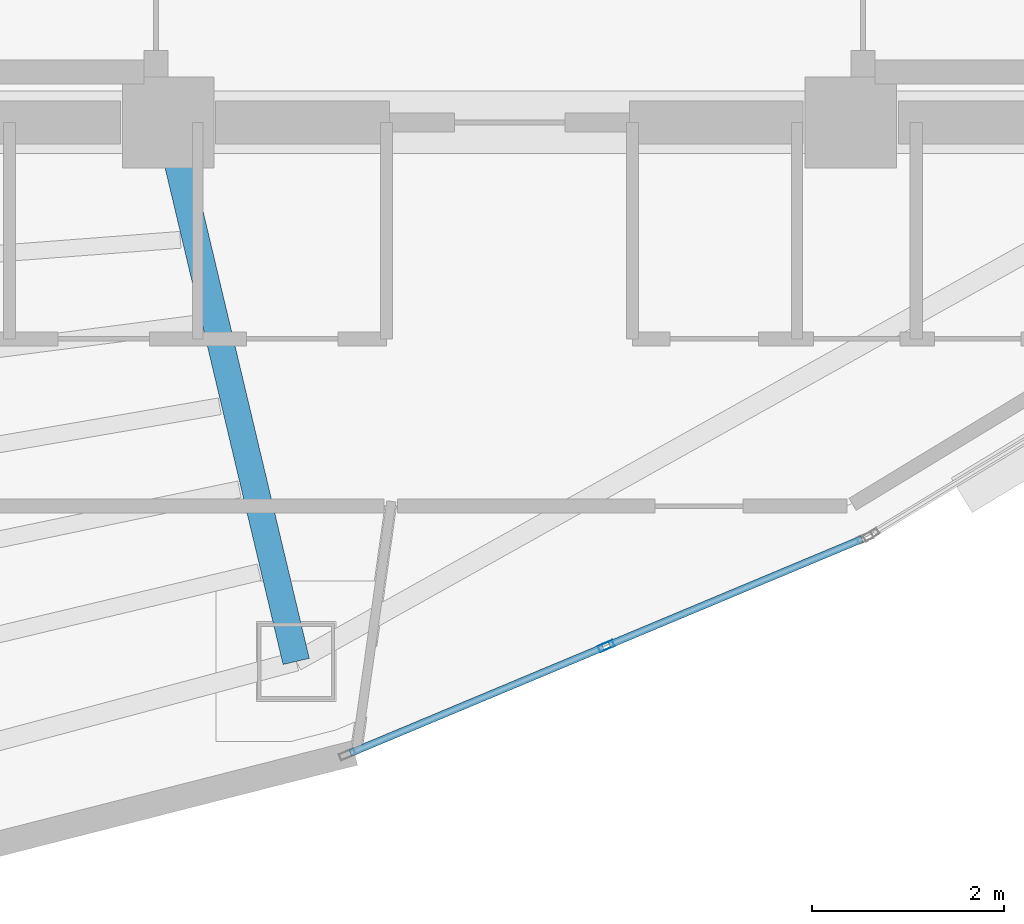
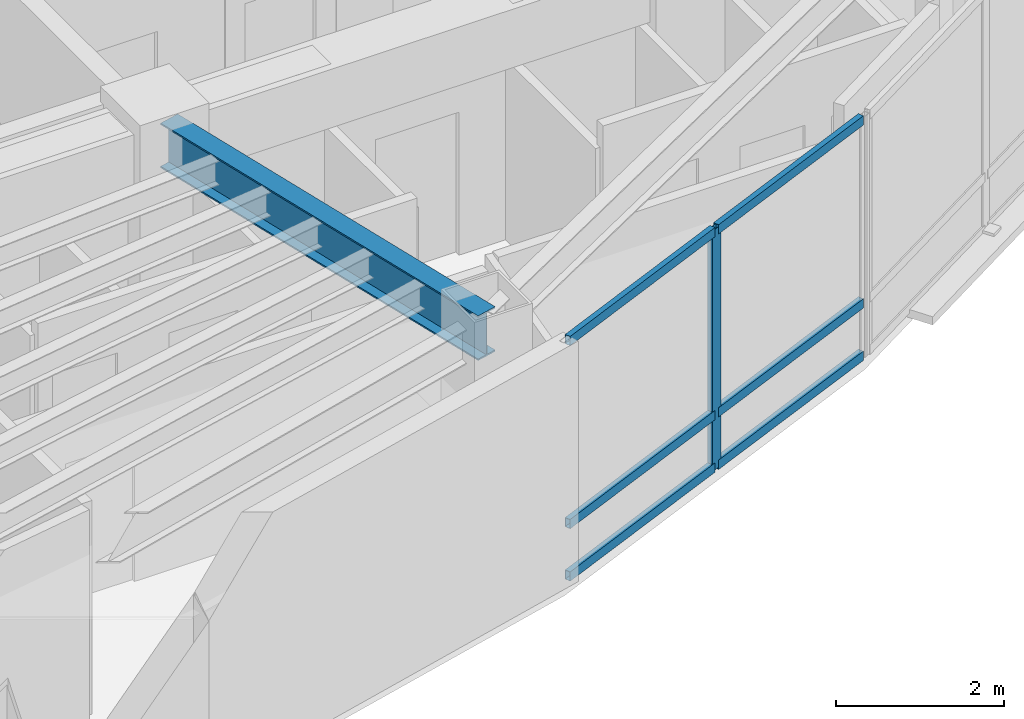
# One storey, part 3 of 15: 7 members, 1 beam, 1 element without a shape of its own.
"""IFC4 building model written with IfcOpenShell, lengths in metres."""

from ifc_helpers import new_model, si_unit, direction, frame, origin, origin_2d, place, context, subcontext, project, spatial, hollow_rectangle, i_section, extrude, material, layer, layer_set, material_profile, profile_set, type_object, element, aggregate, save


model = new_model("IFC4")

# Units and contexts
model_context = context("Model", 3, precision=1e-05, world=origin(), true_north=direction((0.0, 1.0)))
body_context = subcontext(model_context, "Body", "Model", "MODEL_VIEW")
ifc_project = project(units=[si_unit("LENGTHUNIT", "METRE"), si_unit("AREAUNIT", "SQUARE_METRE"), si_unit("VOLUMEUNIT", "CUBIC_METRE"), si_unit("PLANEANGLEUNIT", "RADIAN"), si_unit("MASSUNIT", "GRAM", prefix="KILO")], contexts=[model_context])

# Site, building, storey
site_placement = place(None, origin())
site = spatial("IfcSite", under=ifc_project, at=site_placement, CompositionType="ELEMENT")
building_placement = place(site_placement, origin())
building = spatial("IfcBuilding", under=site, at=building_placement, Name="Menara Vayukalpa", CompositionType="ELEMENT")
storey_placement = place(building_placement, frame((0.0, 0.0, 288.06005859375)))
storey = spatial("IfcBuildingStorey", under=building, at=storey_placement, Name="L73", CompositionType="ELEMENT", Elevation=288.06005859375)

# Beam
ifc_material_1 = material(Name="Steel S355", Category="steel")
ifc_material_profile_1 = material_profile(ifc_material_1, i_section(OverallWidth=0.280029296875, OverallDepth=0.64990234375, WebThickness=0.012939453125, FlangeThickness=0.02197265625, at=origin_2d()), Name="WF 650x280x13x22")
ifc_profile_set_1 = profile_set([ifc_material_profile_1], Name="Steel S355")
beam_type = type_object("IfcBeamType", Name="BM-PG6", PredefinedType="BEAM", material=ifc_profile_set_1)
beam_placement = place(storey_placement, frame((22.10791015625, 16.956787109375, 3.175048828125), z_axis=(0.231167310854, -0.972914011818, 0.0), x_axis=(0.972914011818, 0.231167310854, 0.0)))
element("IfcBeam", 1, at=beam_placement, inside=storey, type_object=beam_type, Name="L73 Primary Radial Girder RG08", PredefinedType="BEAM", context=body_context, shape_type="SweptSolid", body=[
    extrude(i_section(OverallWidth=0.280029296875, OverallDepth=0.64990234375, WebThickness=0.012939453125, FlangeThickness=0.02197265625, at=origin_2d()), origin(), (0.0, 0.0, 1.0), 5.5107421875),
])

# Curtain wall, members
ifc_material_2 = material(Name="Anodised Terracotta Aluminium Alloy 6063-T6", Category="masonry")
ifc_layer = layer(ifc_material_2, 0.1650390625)
ifc_layer_set = layer_set([ifc_layer], Name="Anodised Terracotta Aluminium Alloy 6063-T6")
curtain_wall_type = type_object("IfcCurtainWallType", Name="CW-CW6", PredefinedType="USERDEFINED", material=ifc_layer_set)
curtain_wall_placement = place(storey_placement, origin())
curtain_wall = element("IfcCurtainWall", 2, at=curtain_wall_placement, inside=storey, type_object=curtain_wall_type, Name="L73 Observation and Executive Curtain Wall CW6 16", ObjectType="UNITISED", PredefinedType="USERDEFINED")
ifc_material_3 = material(Name="Anodised Terracotta Aluminium Alloy 6063-T6", Category="masonry")
ifc_material_profile_2 = material_profile(ifc_material_3, hollow_rectangle(XDim=0.070068359375, YDim=0.1650390625, WallThickness=0.00390625, at=origin_2d()), Name="ALU 70x165x4")
ifc_profile_set_2 = profile_set([ifc_material_profile_2], Name="Anodised Terracotta Aluminium Alloy 6063-T6")
member_type_1 = type_object("IfcMemberType", Name="CWM-CW6", PredefinedType="MULLION", material=ifc_profile_set_2)
member_1_placement = place(storey_placement, frame((26.60595703125, 11.7548828125, 0.0), z_axis=(0.0, 0.0, 1.0), x_axis=(-0.385899911703, 0.922540653927, 0.0)))
member_1 = element("IfcMember", 3, at=member_1_placement, type_object=member_type_1, Name="CW6 mullion 2", PredefinedType="MULLION", context=body_context, shape_type="SweptSolid", body=[
    extrude(hollow_rectangle(XDim=0.070068359375, YDim=0.1650390625, WallThickness=0.00390625, at=origin_2d()), origin(), (0.0, 0.0, 1.0), 3.5),
])
ifc_material_4 = material(Name="Anodised Terracotta Aluminium Alloy 6063-T6", Category="masonry")
ifc_material_profile_3 = material_profile(ifc_material_4, hollow_rectangle(XDim=0.074951171875, YDim=0.135009765625, WallThickness=0.00390625, at=origin_2d()), Name="ALU 75x135x4")
ifc_profile_set_3 = profile_set([ifc_material_profile_3], Name="Anodised Terracotta Aluminium Alloy 6063-T6")
member_type_2 = type_object("IfcMemberType", Name="CWT-CW6", PredefinedType="USERDEFINED", material=ifc_profile_set_3)
member_2_placement = place(storey_placement, frame((23.945556640625, 10.64208984375, 0.037353515625), z_axis=(0.922541050276, 0.38589896418, 0.0), x_axis=(-0.38589896418, 0.922541050276, 0.0)))
member_2 = element("IfcMember", 4, at=member_2_placement, type_object=member_type_2, Name="CW6 transom 1.1", ObjectType="TRANSOM", PredefinedType="USERDEFINED", context=body_context, shape_type="SweptSolid", body=[
    extrude(hollow_rectangle(XDim=0.074951171875, YDim=0.135009765625, WallThickness=0.00390625, at=origin_2d()), origin(), (0.0, 0.0, 1.0), 2.848876953125),
])
member_3_placement = place(storey_placement, frame((23.945556640625, 10.64208984375, 0.800048828125), z_axis=(0.922541050276, 0.38589896418, 0.0), x_axis=(-0.38589896418, 0.922541050276, 0.0)))
member_3 = element("IfcMember", 5, at=member_3_placement, type_object=member_type_2, Name="CW6 transom 1.2", ObjectType="TRANSOM", PredefinedType="USERDEFINED", context=body_context, shape_type="SweptSolid", body=[
    extrude(hollow_rectangle(XDim=0.074951171875, YDim=0.135009765625, WallThickness=0.00390625, at=origin_2d()), origin(), (0.0, 0.0, 1.0), 2.848876953125),
])
member_4_placement = place(storey_placement, frame((23.945556640625, 10.64208984375, 3.46240234375), z_axis=(0.922541050276, 0.38589896418, 0.0), x_axis=(-0.38589896418, 0.922541050276, 0.0)))
member_4 = element("IfcMember", 6, at=member_4_placement, type_object=member_type_2, Name="CW6 transom 1.3", ObjectType="TRANSOM", PredefinedType="USERDEFINED", context=body_context, shape_type="SweptSolid", body=[
    extrude(hollow_rectangle(XDim=0.074951171875, YDim=0.135009765625, WallThickness=0.00390625, at=origin_2d()), origin(), (0.0, 0.0, 1.0), 2.848876953125),
])
member_5_placement = place(storey_placement, frame((26.638427734375, 11.768310546875, 0.037353515625), z_axis=(0.922528286758, 0.385929475592, 0.0), x_axis=(-0.385929475592, 0.922528286758, 0.0)))
member_5 = element("IfcMember", 7, at=member_5_placement, type_object=member_type_2, Name="CW6 transom 2.1", ObjectType="TRANSOM", PredefinedType="USERDEFINED", context=body_context, shape_type="SweptSolid", body=[
    extrude(hollow_rectangle(XDim=0.074951171875, YDim=0.135009765625, WallThickness=0.00390625, at=origin_2d()), origin(), (0.0, 0.0, 1.0), 2.8486328125),
])
member_6_placement = place(storey_placement, frame((26.638427734375, 11.768310546875, 0.800048828125), z_axis=(0.922528286758, 0.385929475592, 0.0), x_axis=(-0.385929475592, 0.922528286758, 0.0)))
member_6 = element("IfcMember", 8, at=member_6_placement, type_object=member_type_2, Name="CW6 transom 2.2", ObjectType="TRANSOM", PredefinedType="USERDEFINED", context=body_context, shape_type="SweptSolid", body=[
    extrude(hollow_rectangle(XDim=0.074951171875, YDim=0.135009765625, WallThickness=0.00390625, at=origin_2d()), origin(), (0.0, 0.0, 1.0), 2.8486328125),
])
member_7_placement = place(storey_placement, frame((26.638427734375, 11.768310546875, 3.46240234375), z_axis=(0.922528286758, 0.385929475592, 0.0), x_axis=(-0.385929475592, 0.922528286758, 0.0)))
member_7 = element("IfcMember", 9, at=member_7_placement, type_object=member_type_2, Name="CW6 transom 2.3", ObjectType="TRANSOM", PredefinedType="USERDEFINED", context=body_context, shape_type="SweptSolid", body=[
    extrude(hollow_rectangle(XDim=0.074951171875, YDim=0.135009765625, WallThickness=0.00390625, at=origin_2d()), origin(), (0.0, 0.0, 1.0), 2.8486328125),
])
aggregate(curtain_wall, [member_1, member_2, member_3, member_4, member_5, member_6, member_7])

save(model, "model.ifc")
